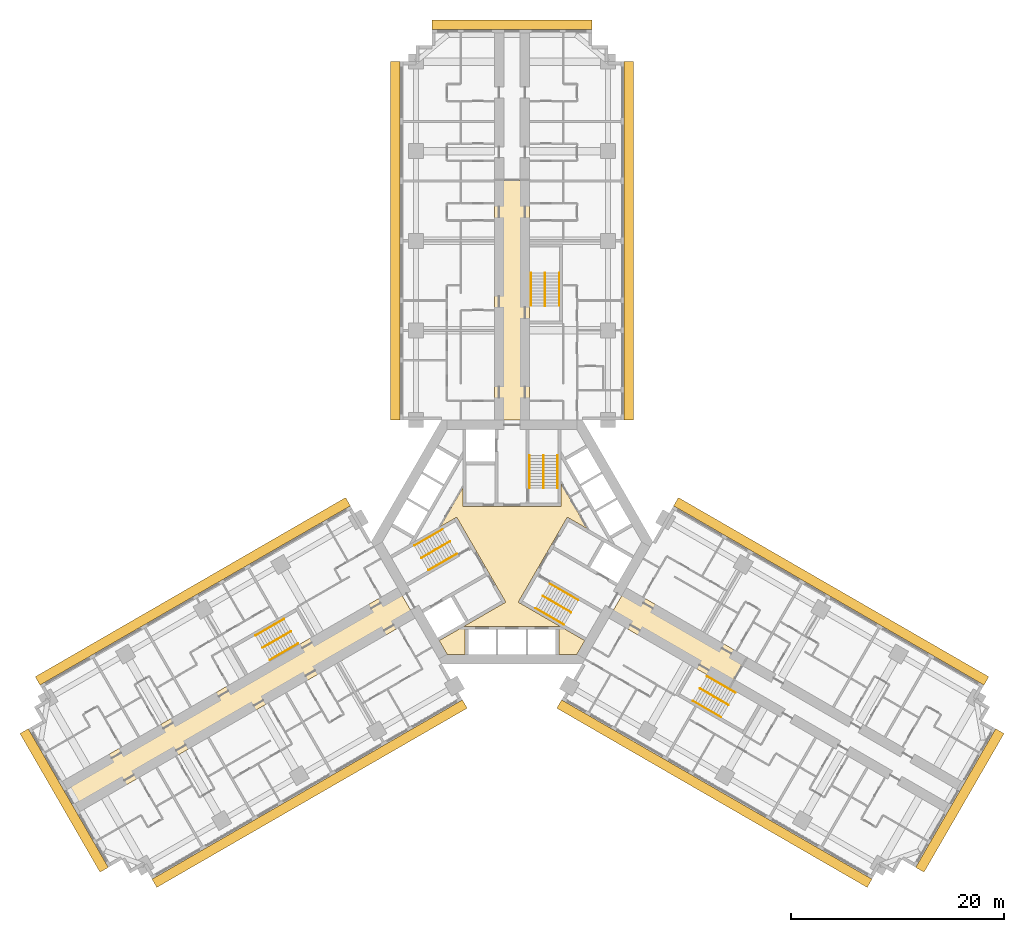
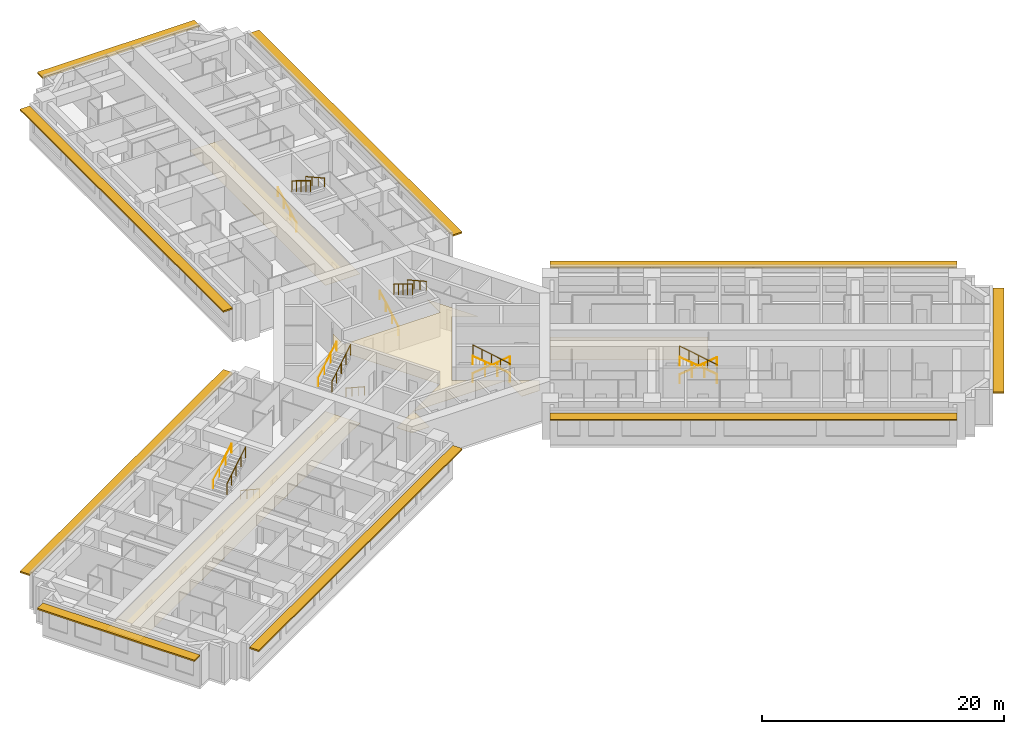
# One storey, part 16 of 16: 18 railings, 4 coverings, 3 shading devices.
"""IFC4 building model written with IfcOpenShell, lengths in metres."""

import ifcopenshell
import ifcopenshell.guid

model = None  # the IFC model being written
_history = None  # IfcOwnerHistory: only IFC2X3 demands one
_inside = {}  # id of a spatial element -> (the spatial element, [elements in it])
_under = {}  # id of a project, library or spatial element -> (it, [spatial elements below it])
_declared = {}  # id of a project -> (the project, [libraries it declares])
_typed = {}  # id of a type object -> (the type object, [elements of that type])
_made_of = {}  # id of a material, layer set ... -> (it, [elements and type objects made of it])


def new_model(schema):
    """Start an empty IFC model of exactly this schema.

    Asked for "IFC4X3", IfcOpenShell would pick the latest addendum, in which some entities
    have other attributes; the version numbers below select the first issue.
    IFC2X3 requires an IfcOwnerHistory on every rooted entity: one is made here for all.
    """
    global model, _history
    if schema == "IFC4X3":
        model = ifcopenshell.file(schema_version=(4, 3, 0, 0))
    else:
        model = ifcopenshell.file(schema=schema)
    _inside.clear()
    _under.clear()
    _declared.clear()
    _typed.clear()
    _made_of.clear()
    _history = None
    if model.schema == "IFC2X3":
        org = make("IfcOrganization", Name="unknown")
        user = make(
            "IfcPersonAndOrganization",
            ThePerson=make("IfcPerson", FamilyName="unknown"),
            TheOrganization=org,
        )
        app = make(
            "IfcApplication",
            ApplicationDeveloper=org,
            Version="unknown",
            ApplicationFullName="unknown",
            ApplicationIdentifier="unknown",
        )
        _history = make(
            "IfcOwnerHistory",
            OwningUser=user,
            OwningApplication=app,
            ChangeAction="ADDED",
            CreationDate=0,
        )
    return model


def make(cls, **values):
    """One entity of the class cls with the attributes given. An attribute that is None is left unset."""
    return model.create_entity(
        cls, **{name: value for name, value in values.items() if value is not None}
    )


def rooted(cls, **values):
    """An entity with a GlobalId (a new one), such as an element, a storey or a relation."""
    return make(cls, GlobalId=ifcopenshell.guid.new(), OwnerHistory=_history, **values)


def si_unit(unit_type, name, prefix=None):
    """IfcSIUnit, for example si_unit("LENGTHUNIT", "METRE", prefix="MILLI")."""
    return make("IfcSIUnit", UnitType=unit_type, Prefix=prefix, Name=name)


def assignment(units):
    """IfcUnitAssignment: the units of a project."""
    return None if units is None else make("IfcUnitAssignment", Units=units)


def point(xyz):
    """IfcCartesianPoint."""
    return None if xyz is None else make("IfcCartesianPoint", Coordinates=xyz)


def direction(xyz):
    """IfcDirection."""
    return None if xyz is None else make("IfcDirection", DirectionRatios=xyz)


def frame(location, z_axis=None, x_axis=None):
    """IfcAxis2Placement3D, a coordinate frame: its origin and axes. An axis left out is left unset."""
    return make(
        "IfcAxis2Placement3D",
        Location=point(location),
        Axis=direction(z_axis),
        RefDirection=direction(x_axis),
    )


def frame_2d(location, x_axis=None):
    """IfcAxis2Placement2D, a coordinate frame in the plane: its origin and x axis."""
    return make(
        "IfcAxis2Placement2D", Location=point(location), RefDirection=direction(x_axis)
    )


def origin():
    """The frame at (0, 0, 0) with its axes left unset."""
    return frame((0.0, 0.0, 0.0))


def origin_2d():
    """The frame at (0, 0) in the plane with its x axis left unset."""
    return frame_2d((0.0, 0.0))


def place(relative_to, where):
    """IfcLocalPlacement: puts the frame where relative to a parent placement (None: the world)."""
    return make(
        "IfcLocalPlacement", PlacementRelTo=relative_to, RelativePlacement=where
    )


def context(
    kind, dimensions, precision=None, world=None, true_north=None, identifier=None
):
    """IfcGeometricRepresentationContext, for example the 3D "Model" context."""
    return make(
        "IfcGeometricRepresentationContext",
        ContextIdentifier=identifier,
        ContextType=kind,
        CoordinateSpaceDimension=dimensions,
        Precision=precision,
        WorldCoordinateSystem=world,
        TrueNorth=true_north,
    )


def subcontext(parent, identifier, kind, view, scale=None):
    """IfcGeometricRepresentationSubContext, for example "Body" below "Model"."""
    return make(
        "IfcGeometricRepresentationSubContext",
        ContextIdentifier=identifier,
        ContextType=kind,
        ParentContext=parent,
        TargetScale=scale,
        TargetView=view,
    )


def project(units=None, contexts=None):
    """IfcProject with its units and contexts."""
    return rooted(
        "IfcProject",
        Name="project",
        RepresentationContexts=contexts,
        UnitsInContext=assignment(units),
    )


def spatial(cls, under=None, at=None, **own):
    """A site, building, storey or space (cls), placed at a placement, below another one or the project."""
    s = rooted(cls, ObjectPlacement=at, **own)
    if under is not None:
        _under.setdefault(under.id(), (under, []))[1].append(s)
    return s


def polyline(points):
    """IfcPolyline through the points."""
    return make("IfcPolyline", Points=[point(p) for p in points])


def profile(cls, at=None, kind="AREA", **sizes):
    """A parametric profile (cls). Its sizes go by their IFC names, for example OverallWidth=200.0."""
    return make(cls, ProfileType=kind, Position=at, **sizes)


def rectangle(**sizes):
    """IfcRectangleProfileDef."""
    return profile("IfcRectangleProfileDef", **sizes)


def circle(**sizes):
    """IfcCircleProfileDef."""
    return profile("IfcCircleProfileDef", **sizes)


def outline(outer, holes=None, kind="AREA"):
    """IfcArbitraryClosedProfileDef: a profile drawn as a closed curve; with holes, ...WithVoids."""
    if holes is None:
        return make("IfcArbitraryClosedProfileDef", ProfileType=kind, OuterCurve=outer)
    return make(
        "IfcArbitraryProfileDefWithVoids",
        ProfileType=kind,
        OuterCurve=outer,
        InnerCurves=holes,
    )


def extrude(swept, where, along, depth):
    """IfcExtrudedAreaSolid: the profile swept, set in the frame where, extruded along a direction by depth."""
    return make(
        "IfcExtrudedAreaSolid",
        SweptArea=swept,
        Position=where,
        ExtrudedDirection=direction(along),
        Depth=depth,
    )


def shape(context_of_items, identifier, shape_type, items):
    """IfcShapeRepresentation: the items that make up one representation, for example the "Body"."""
    return make(
        "IfcShapeRepresentation",
        ContextOfItems=context_of_items,
        RepresentationIdentifier=identifier,
        RepresentationType=shape_type,
        Items=items,
    )


def material(Name=None, Category=None):
    """IfcMaterial."""
    return make("IfcMaterial", Name=Name, Category=Category)


def layer(
    of_material, thickness, ventilated=None, Name=None, Category=None, Priority=None
):
    """IfcMaterialLayer: one layer of a wall or slab, of a material (None: an air gap)."""
    return make(
        "IfcMaterialLayer",
        Material=of_material,
        LayerThickness=thickness,
        IsVentilated=ventilated,
        Name=Name,
        Category=Category,
        Priority=Priority,
    )


def layer_set(layers, Name=None):
    """IfcMaterialLayerSet."""
    return make("IfcMaterialLayerSet", MaterialLayers=layers, LayerSetName=Name)


def made_of(thing, what):
    """Note that an element or type object is made of a material, layer set ...; save() writes the relation."""
    if what is not None:
        _made_of.setdefault(what.id(), (what, []))[1].append(thing)
    return thing


def type_object(cls, material=None, **own):
    """A type object (cls), such as IfcWallType, which elements share."""
    return made_of(rooted(cls, **own), material)


def element(
    cls,
    number,
    at=None,
    inside=None,
    cuts=None,
    type_object=None,
    material=None,
    context=None,
    identifier="Body",
    shape_type=None,
    held_by="IfcProductDefinitionShape",
    body=None,
    shapes=None,
    **own,
):
    """One element of the class cls, such as IfcWall. Its Tag is "e" and its number.

    at: its placement. inside: the storey or other place that contains it. cuts: it is an
    opening in that element (IfcRelVoidsElement). A single representation is given by context,
    identifier, shape_type and body (its items); several are given by shapes. held_by: the class
    of the entity that holds the representations. save() writes the other relations.
    """
    e = rooted(cls, Tag="e%d" % number, ObjectPlacement=at, **own)
    if body is not None:
        shapes = [shape(context, identifier, shape_type, body)]
    if shapes is not None:
        e.Representation = make(held_by, Representations=shapes)
    if inside is not None:
        _inside.setdefault(inside.id(), (inside, []))[1].append(e)
    if cuts is not None:
        rooted(
            "IfcRelVoidsElement", RelatingBuildingElement=cuts, RelatedOpeningElement=e
        )
    if type_object is not None:
        _typed.setdefault(type_object.id(), (type_object, []))[1].append(e)
    return made_of(e, material)


def aggregate(whole, parts):
    """IfcRelAggregates: a whole, such as a stair, and the parts it consists of."""
    return rooted("IfcRelAggregates", RelatingObject=whole, RelatedObjects=parts)


def save(model, path):
    """Write the relations noted so far, then the file.

    IfcRelAggregates (storeys below a building ...), IfcRelContainedInSpatialStructure (elements
    in a storey), IfcRelDefinesByType, IfcRelAssociatesMaterial and IfcRelDeclares: one each for
    every whole, place, type object, material and project.
    """
    for whole, parts in _under.values():
        aggregate(whole, parts)
    for where, things in _inside.values():
        rooted(
            "IfcRelContainedInSpatialStructure",
            RelatedElements=things,
            RelatingStructure=where,
        )
    for kind, things in _typed.values():
        rooted("IfcRelDefinesByType", RelatedObjects=things, RelatingType=kind)
    for what, things in _made_of.values():
        rooted("IfcRelAssociatesMaterial", RelatedObjects=things, RelatingMaterial=what)
    for by, libraries in _declared.values():
        rooted("IfcRelDeclares", RelatingContext=by, RelatedDefinitions=libraries)
    model.write(path)


model = new_model("IFC4")

# Units and contexts
model_context = context("Model", 3, precision=1e-05, world=origin(), true_north=direction((0.0, 1.0)))
body_context = subcontext(model_context, "Body", "Model", "MODEL_VIEW")
ifc_project = project(units=[si_unit("LENGTHUNIT", "METRE"), si_unit("AREAUNIT", "SQUARE_METRE"), si_unit("VOLUMEUNIT", "CUBIC_METRE"), si_unit("PLANEANGLEUNIT", "RADIAN"), si_unit("MASSUNIT", "GRAM", prefix="KILO")], contexts=[model_context])

# Site, building, storey
site_placement = place(None, origin())
site = spatial("IfcSite", under=ifc_project, at=site_placement, CompositionType="ELEMENT")
building_placement = place(site_placement, origin())
building = spatial("IfcBuilding", under=site, at=building_placement, Name="Impinga Residences", CompositionType="ELEMENT")
storey_placement = place(building_placement, frame((0.0, 0.0, 56.0)))
storey = spatial("IfcBuildingStorey", under=building, at=storey_placement, Name="L13", CompositionType="ELEMENT", Elevation=56.0)

# Coverings
ifc_material_1 = material(Name="Plasterboard 15 mm on steel hangers", Category="steel")
ifc_layer_1 = layer(ifc_material_1, 0.014892578125)
ifc_layer_set_1 = layer_set([ifc_layer_1], Name="Plasterboard 15 mm on steel hangers")
covering_type_1 = type_object("IfcCoveringType", Name="CL1 corridor ceiling, 15 mm plasterboard on hangers", PredefinedType="CEILING", material=ifc_layer_set_1)
covering_1_placement = place(storey_placement, frame((0.0, 0.0, 2.39990234375)))
element("IfcCovering", 1, at=covering_1_placement, inside=storey, type_object=covering_type_1, Name="Corridor ceiling CL1 L13-N00", PredefinedType="CEILING", context=body_context, shape_type="SweptSolid", body=[
    extrude(outline(polyline([(1.64990234375, 11.431640625), (-1.64990234375, 11.431640625), (-1.64990234375, 33.887939453125), (1.64990234375, 33.887939453125), (1.64990234375, 11.431640625)])), origin(), (0.0, 0.0, 1.0), 0.01513671875),
])
covering_2_placement = place(storey_placement, frame((0.0, 0.0, 2.39990234375)))
element("IfcCovering", 2, at=covering_2_placement, inside=storey, type_object=covering_type_1, Name="Corridor ceiling CL1 L13-W00", PredefinedType="CEILING", context=body_context, shape_type="SweptSolid", body=[
    extrude(outline(polyline([(-9.074951171875, -7.144775390625), (-10.72509765625, -4.286865234375), (-42.16162109375, -22.436767578125), (-40.51171875, -25.294677734375), (-9.074951171875, -7.144775390625)])), origin(), (0.0, 0.0, 1.0), 0.01513671875),
])
covering_3_placement = place(storey_placement, frame((0.0, 0.0, 2.39990234375)))
element("IfcCovering", 3, at=covering_3_placement, inside=storey, type_object=covering_type_1, Name="Corridor ceiling CL1 L13-E00", PredefinedType="CEILING", context=body_context, shape_type="SweptSolid", body=[
    extrude(outline(polyline([(9.074951171875, -7.144775390625), (10.72509765625, -4.286865234375), (21.999267578125, -10.796142578125), (20.349365234375, -13.654052734375), (9.074951171875, -7.144775390625)])), origin(), (0.0, 0.0, 1.0), 0.01513671875),
])
ifc_material_2 = material(Name="Mineral fibre tiles 20 mm on exposed grid", Category="mineral fibre")
ifc_layer_2 = layer(ifc_material_2, 0.02001953125)
ifc_layer_set_2 = layer_set([ifc_layer_2], Name="CL2 lift lobby ceiling, 20 mm mineral fibre tiles")
covering_type_2 = type_object("IfcCoveringType", Name="CL2 lift lobby ceiling, 20 mm mineral fibre tiles", PredefinedType="CEILING", material=ifc_layer_set_2)
covering_4_placement = place(storey_placement, frame((0.0, 0.0, 2.39990234375)))
element("IfcCovering", 4, at=covering_4_placement, inside=storey, type_object=covering_type_2, Name="Lift lobby ceiling CL2 L13-C01", PredefinedType="CEILING", context=body_context, shape_type="SweptSolid", body=[
    extrude(outline(polyline([(6.080322265625, -10.531494140625), (4.39990234375, -10.531494140625), (4.39990234375, -7.931640625), (-4.39990234375, -7.931640625), (-4.39990234375, -10.531494140625), (-6.080322265625, -10.531494140625), (-6.820556640625, -9.24951171875), (-0.583984375, -5.648681640625), (-5.183837890625, 2.318603515625), (-6.712890625, 1.435791015625), (-4.60009765625, 5.095703125), (-4.60009765625, 3.330078125), (4.60009765625, 3.330078125), (4.60009765625, 5.49560546875), (7.059326171875, 1.23583984375), (5.183837890625, 2.318603515625), (0.583984375, -5.648681640625), (6.820556640625, -9.24951171875), (6.080322265625, -10.531494140625)])), origin(), (0.0, 0.0, 1.0), 0.02001953125),
])

# Railings
ifc_material_3 = material(Name="Steel guard, powder coated", Category="steel")
railing_type_1 = type_object("IfcRailingType", Name="GR1 stair guard 1100", PredefinedType="GUARDRAIL", material=ifc_material_3)
railing_1_placement = place(storey_placement, frame((2.949951171875, 8.110107421875, 1.875)))
element("IfcRailing", 5, at=railing_1_placement, inside=storey, type_object=railing_type_1, Name="Stair guard GR1 ST1 L13", PredefinedType="GUARDRAIL", context=body_context, shape_type="SweptSolid", body=[
    extrude(circle(Radius=0.02392578125, at=origin_2d()), frame((0.0, 0.0, 1.076171875), z_axis=(0.0, -0.854177636135, 0.519981313056), x_axis=(1.0, 0.0, 0.0)), (0.0, 0.0, 1.0), 3.60595703125),
    extrude(circle(Radius=0.02099609375, at=origin_2d()), origin(), (0.0, 0.0, 1.0), 1.052001953125),
    extrude(circle(Radius=0.02099609375, at=origin_2d()), frame((0.0, -0.77001953125, 0.46875)), (0.0, 0.0, 1.0), 1.052001953125),
    extrude(circle(Radius=0.02099609375, at=origin_2d()), frame((0.0, -1.5400390625, 0.9375)), (0.0, 0.0, 1.0), 1.052001953125),
    extrude(circle(Radius=0.02099609375, at=origin_2d()), frame((0.0, -2.31005859375, 1.40625)), (0.0, 0.0, 1.0), 1.052001953125),
    extrude(circle(Radius=0.02099609375, at=origin_2d()), frame((0.0, -3.080078125, 1.875)), (0.0, 0.0, 1.0), 1.052001953125),
])
railing_2_placement = place(storey_placement, frame((-8.49853515625, -1.500244140625, 1.875)))
element("IfcRailing", 6, at=railing_2_placement, inside=storey, type_object=railing_type_1, Name="Stair guard GR1 ST2 L13", PredefinedType="GUARDRAIL", context=body_context, shape_type="SweptSolid", body=[
    extrude(circle(Radius=0.02392578125, at=origin_2d()), frame((0.0, 0.0, 1.076171875), z_axis=(0.739746383972, 0.427084037168, 0.519975492303), x_axis=(-0.499992328818, 0.866029832698, 0.0)), (0.0, 0.0, 1.0), 3.60595703125),
    extrude(circle(Radius=0.02099609375, at=origin_2d()), origin(), (0.0, 0.0, 1.0), 1.052001953125),
    extrude(circle(Radius=0.02099609375, at=origin_2d()), frame((0.6669921875, 0.385009765625, 0.46875)), (0.0, 0.0, 1.0), 1.052001953125),
    extrude(circle(Radius=0.02099609375, at=origin_2d()), frame((1.333740234375, 0.77001953125, 0.9375)), (0.0, 0.0, 1.0), 1.052001953125),
    extrude(circle(Radius=0.02099609375, at=origin_2d()), frame((2.00048828125, 1.155029296875, 1.40625)), (0.0, 0.0, 1.0), 1.052001953125),
    extrude(circle(Radius=0.02099609375, at=origin_2d()), frame((2.66748046875, 1.5400390625, 1.875)), (0.0, 0.0, 1.0), 1.052001953125),
])
railing_3_placement = place(storey_placement, frame((5.548583984375, -6.60986328125, 1.875)))
element("IfcRailing", 7, at=railing_3_placement, inside=storey, type_object=railing_type_1, Name="Stair guard GR1 ST3 L13", PredefinedType="GUARDRAIL", context=body_context, shape_type="SweptSolid", body=[
    extrude(circle(Radius=0.02392578125, at=origin_2d()), frame((0.0, 0.0, 1.076171875), z_axis=(-0.739746383972, 0.427084037168, 0.519975492303), x_axis=(-0.499992328818, -0.866029832698, 0.0)), (0.0, 0.0, 1.0), 3.60595703125),
    extrude(circle(Radius=0.02099609375, at=origin_2d()), origin(), (0.0, 0.0, 1.0), 1.052001953125),
    extrude(circle(Radius=0.02099609375, at=origin_2d()), frame((-0.6669921875, 0.385009765625, 0.46875)), (0.0, 0.0, 1.0), 1.052001953125),
    extrude(circle(Radius=0.02099609375, at=origin_2d()), frame((-1.333740234375, 0.77001953125, 0.9375)), (0.0, 0.0, 1.0), 1.052001953125),
    extrude(circle(Radius=0.02099609375, at=origin_2d()), frame((-2.00048828125, 1.155029296875, 1.40625)), (0.0, 0.0, 1.0), 1.052001953125),
    extrude(circle(Radius=0.02099609375, at=origin_2d()), frame((-2.66748046875, 1.5400390625, 1.875)), (0.0, 0.0, 1.0), 1.052001953125),
])
railing_4_placement = place(storey_placement, frame((3.10009765625, 25.21142578125, 1.875)))
element("IfcRailing", 8, at=railing_4_placement, inside=storey, type_object=railing_type_1, Name="Stair guard GR1 WS1 L13", PredefinedType="GUARDRAIL", context=body_context, shape_type="SweptSolid", body=[
    extrude(circle(Radius=0.02392578125, at=origin_2d()), frame((0.0, 0.0, 1.076171875), z_axis=(0.0, -0.854159328187, 0.520011386482), x_axis=(1.0, 0.0, 0.0)), (0.0, 0.0, 1.0), 3.605712890625),
    extrude(circle(Radius=0.02099609375, at=origin_2d()), origin(), (0.0, 0.0, 1.0), 1.052001953125),
    extrude(circle(Radius=0.02099609375, at=origin_2d()), frame((0.0, -0.77001953125, 0.46875)), (0.0, 0.0, 1.0), 1.052001953125),
    extrude(circle(Radius=0.02099609375, at=origin_2d()), frame((0.0, -1.5400390625, 0.9375)), (0.0, 0.0, 1.0), 1.052001953125),
    extrude(circle(Radius=0.02099609375, at=origin_2d()), frame((0.0, -2.309814453125, 1.40625)), (0.0, 0.0, 1.0), 1.052001953125),
    extrude(circle(Radius=0.02099609375, at=origin_2d()), frame((0.0, -3.079833984375, 1.875)), (0.0, 0.0, 1.0), 1.052001953125),
])
railing_5_placement = place(storey_placement, frame((-23.3837890625, -9.921142578125, 1.875)))
element("IfcRailing", 9, at=railing_5_placement, inside=storey, type_object=railing_type_1, Name="Stair guard GR1 WS2 L13", PredefinedType="GUARDRAIL", context=body_context, shape_type="SweptSolid", body=[
    extrude(circle(Radius=0.02392578125, at=origin_2d()), frame((0.0, 0.0, 1.076171875), z_axis=(0.739715726454, 0.427105428144, 0.52000153585), x_axis=(-0.500026652407, 0.866010015463, 0.0)), (0.0, 0.0, 1.0), 3.605712890625),
    extrude(circle(Radius=0.02099609375, at=origin_2d()), origin(), (0.0, 0.0, 1.0), 1.052001953125),
    extrude(circle(Radius=0.02099609375, at=origin_2d()), frame((0.666748046875, 0.385009765625, 0.46875)), (0.0, 0.0, 1.0), 1.052001953125),
    extrude(circle(Radius=0.02099609375, at=origin_2d()), frame((1.33349609375, 0.77001953125, 0.9375)), (0.0, 0.0, 1.0), 1.052001953125),
    extrude(circle(Radius=0.02099609375, at=origin_2d()), frame((2.00048828125, 1.155029296875, 1.40625)), (0.0, 0.0, 1.0), 1.052001953125),
    extrude(circle(Radius=0.02099609375, at=origin_2d()), frame((2.667236328125, 1.5400390625, 1.875)), (0.0, 0.0, 1.0), 1.052001953125),
])
railing_6_placement = place(storey_placement, frame((20.283935546875, -15.29052734375, 1.875)))
element("IfcRailing", 10, at=railing_6_placement, inside=storey, type_object=railing_type_1, Name="Stair guard GR1 WS3 L13", PredefinedType="GUARDRAIL", context=body_context, shape_type="SweptSolid", body=[
    extrude(circle(Radius=0.02392578125, at=origin_2d()), frame((0.0, 0.0, 1.076171875), z_axis=(-0.739746383972, 0.427084037168, 0.519975492303), x_axis=(-0.499992328818, -0.866029832698, 0.0)), (0.0, 0.0, 1.0), 3.60595703125),
    extrude(circle(Radius=0.02099609375, at=origin_2d()), origin(), (0.0, 0.0, 1.0), 1.052001953125),
    extrude(circle(Radius=0.02099609375, at=origin_2d()), frame((-0.6669921875, 0.385009765625, 0.46875)), (0.0, 0.0, 1.0), 1.052001953125),
    extrude(circle(Radius=0.02099609375, at=origin_2d()), frame((-1.333740234375, 0.77001953125, 0.9375)), (0.0, 0.0, 1.0), 1.052001953125),
    extrude(circle(Radius=0.02099609375, at=origin_2d()), frame((-2.00048828125, 1.155029296875, 1.40625)), (0.0, 0.0, 1.0), 1.052001953125),
    extrude(circle(Radius=0.02099609375, at=origin_2d()), frame((-2.66748046875, 1.5400390625, 1.875)), (0.0, 0.0, 1.0), 1.052001953125),
])
ifc_material_4 = material(Name="Steel handrail tube 42 mm, powder coated", Category="steel")
railing_type_2 = type_object("IfcRailingType", Name="HR1 stair handrail, 42 mm steel tube, 900 above the pitch line", PredefinedType="HANDRAIL", material=ifc_material_4)
railing_7_placement = place(storey_placement, frame((1.62109375, 5.030029296875, 0.15625)))
element("IfcRailing", 11, at=railing_7_placement, inside=storey, type_object=railing_type_2, Name="Stair handrail HR1 ST1 L13", PredefinedType="HANDRAIL", context=body_context, shape_type="SweptSolid", body=[
    extrude(circle(Radius=0.02099609375, at=origin_2d()), frame((0.0, 0.0, 0.87890625), z_axis=(0.0, 0.873241540666, 0.487287606713), x_axis=(-1.0, 0.0, 0.0)), (0.0, 0.0, 1.0), 3.527099609375),
    extrude(circle(Radius=0.012451171875, at=origin_2d()), origin(), (0.0, 0.0, 1.0), 0.85791015625),
    extrude(circle(Radius=0.012451171875, at=origin_2d()), frame((0.0, 1.026611328125, 0.572998046875)), (0.0, 0.0, 1.0), 0.85791015625),
    extrude(circle(Radius=0.012451171875, at=origin_2d()), frame((0.0, 2.053466796875, 1.145751953125)), (0.0, 0.0, 1.0), 0.85791015625),
    extrude(circle(Radius=0.012451171875, at=origin_2d()), frame((0.0, 3.080078125, 1.71875)), (0.0, 0.0, 1.0), 0.85791015625),
])
railing_8_placement = place(storey_placement, frame((4.279052734375, 8.110107421875, 2.03125)))
element("IfcRailing", 12, at=railing_8_placement, inside=storey, type_object=railing_type_2, Name="Stair handrail HR1 ST1 L13", PredefinedType="HANDRAIL", context=body_context, shape_type="SweptSolid", body=[
    extrude(circle(Radius=0.02099609375, at=origin_2d()), frame((0.0, 0.0, 0.87890625), z_axis=(0.0, -0.873241540666, 0.487287606713), x_axis=(1.0, 0.0, 0.0)), (0.0, 0.0, 1.0), 3.527099609375),
    extrude(circle(Radius=0.012451171875, at=origin_2d()), origin(), (0.0, 0.0, 1.0), 0.85791015625),
    extrude(circle(Radius=0.012451171875, at=origin_2d()), frame((0.0, -1.026611328125, 0.572998046875)), (0.0, 0.0, 1.0), 0.85791015625),
    extrude(circle(Radius=0.012451171875, at=origin_2d()), frame((0.0, -2.053466796875, 1.145751953125)), (0.0, 0.0, 1.0), 0.85791015625),
    extrude(circle(Radius=0.012451171875, at=origin_2d()), frame((0.0, -3.080078125, 1.71875)), (0.0, 0.0, 1.0), 0.85791015625),
])
railing_9_placement = place(storey_placement, frame((-5.16650390625, -1.111083984375, 0.15625)))
element("IfcRailing", 13, at=railing_9_placement, inside=storey, type_object=railing_type_2, Name="Stair handrail HR1 ST2 L13", PredefinedType="HANDRAIL", context=body_context, shape_type="SweptSolid", body=[
    extrude(circle(Radius=0.02099609375, at=origin_2d()), frame((0.0, 0.0, 0.87890625), z_axis=(-0.756255980417, -0.436615662133, 0.487281905742), x_axis=(0.499992328818, -0.866029832698, 0.0)), (0.0, 0.0, 1.0), 3.527099609375),
    extrude(circle(Radius=0.012451171875, at=origin_2d()), origin(), (0.0, 0.0, 1.0), 0.85791015625),
    extrude(circle(Radius=0.012451171875, at=origin_2d()), frame((-0.88916015625, -0.513427734375, 0.572998046875)), (0.0, 0.0, 1.0), 0.85791015625),
    extrude(circle(Radius=0.012451171875, at=origin_2d()), frame((-1.7783203125, -1.026611328125, 1.145751953125)), (0.0, 0.0, 1.0), 0.85791015625),
    extrude(circle(Radius=0.012451171875, at=origin_2d()), frame((-2.66748046875, -1.5400390625, 1.71875)), (0.0, 0.0, 1.0), 0.85791015625),
])
railing_10_placement = place(storey_placement, frame((-9.1630859375, -0.349365234375, 2.03125)))
element("IfcRailing", 14, at=railing_10_placement, inside=storey, type_object=railing_type_2, Name="Stair handrail HR1 ST2 L13", PredefinedType="HANDRAIL", context=body_context, shape_type="SweptSolid", body=[
    extrude(circle(Radius=0.02099609375, at=origin_2d()), frame((0.0, 0.0, 0.87890625), z_axis=(0.756255980417, 0.436615662133, 0.487281905742), x_axis=(-0.499992328818, 0.866029832698, 0.0)), (0.0, 0.0, 1.0), 3.527099609375),
    extrude(circle(Radius=0.012451171875, at=origin_2d()), origin(), (0.0, 0.0, 1.0), 0.85791015625),
    extrude(circle(Radius=0.012451171875, at=origin_2d()), frame((0.88916015625, 0.513427734375, 0.572998046875)), (0.0, 0.0, 1.0), 0.85791015625),
    extrude(circle(Radius=0.012451171875, at=origin_2d()), frame((1.7783203125, 1.026611328125, 1.145751953125)), (0.0, 0.0, 1.0), 0.85791015625),
    extrude(circle(Radius=0.012451171875, at=origin_2d()), frame((2.66748046875, 1.5400390625, 1.71875)), (0.0, 0.0, 1.0), 0.85791015625),
])
railing_11_placement = place(storey_placement, frame((3.545654296875, -3.9189453125, 0.15625)))
element("IfcRailing", 15, at=railing_11_placement, inside=storey, type_object=railing_type_2, Name="Stair handrail HR1 ST3 L13", PredefinedType="HANDRAIL", context=body_context, shape_type="SweptSolid", body=[
    extrude(circle(Radius=0.02099609375, at=origin_2d()), frame((0.0, 0.0, 0.87890625), z_axis=(0.756249203677, -0.436582492228, 0.487322141317), x_axis=(0.499967199496, 0.866044340336, 0.0)), (0.0, 0.0, 1.0), 3.52685546875),
    extrude(circle(Radius=0.012451171875, at=origin_2d()), origin(), (0.0, 0.0, 1.0), 0.85791015625),
    extrude(circle(Radius=0.012451171875, at=origin_2d()), frame((0.88916015625, -0.51318359375, 0.572998046875)), (0.0, 0.0, 1.0), 0.85791015625),
    extrude(circle(Radius=0.012451171875, at=origin_2d()), frame((1.778076171875, -1.026611328125, 1.145751953125)), (0.0, 0.0, 1.0), 0.85791015625),
    extrude(circle(Radius=0.012451171875, at=origin_2d()), frame((2.667236328125, -1.539794921875, 1.71875)), (0.0, 0.0, 1.0), 0.85791015625),
])
railing_12_placement = place(storey_placement, frame((4.884033203125, -7.7607421875, 2.03125)))
element("IfcRailing", 16, at=railing_12_placement, inside=storey, type_object=railing_type_2, Name="Stair handrail HR1 ST3 L13", PredefinedType="HANDRAIL", context=body_context, shape_type="SweptSolid", body=[
    extrude(circle(Radius=0.02099609375, at=origin_2d()), frame((0.0, 0.0, 0.87890625), z_axis=(-0.756255980417, 0.436615662133, 0.487281905742), x_axis=(-0.499992328818, -0.866029832698, 0.0)), (0.0, 0.0, 1.0), 3.527099609375),
    extrude(circle(Radius=0.012451171875, at=origin_2d()), origin(), (0.0, 0.0, 1.0), 0.85791015625),
    extrude(circle(Radius=0.012451171875, at=origin_2d()), frame((-0.88916015625, 0.513427734375, 0.572998046875)), (0.0, 0.0, 1.0), 0.85791015625),
    extrude(circle(Radius=0.012451171875, at=origin_2d()), frame((-1.7783203125, 1.026611328125, 1.145751953125)), (0.0, 0.0, 1.0), 0.85791015625),
    extrude(circle(Radius=0.012451171875, at=origin_2d()), frame((-2.66748046875, 1.5400390625, 1.71875)), (0.0, 0.0, 1.0), 0.85791015625),
])
railing_13_placement = place(storey_placement, frame((1.77099609375, 22.131591796875, 0.15625)))
element("IfcRailing", 17, at=railing_13_placement, inside=storey, type_object=railing_type_2, Name="Stair handrail HR1 WS1 L13", PredefinedType="HANDRAIL", context=body_context, shape_type="SweptSolid", body=[
    extrude(circle(Radius=0.02099609375, at=origin_2d()), frame((0.0, 0.0, 0.87890625), z_axis=(0.0, 0.873225103656, 0.487317061414), x_axis=(-1.0, 0.0, 0.0)), (0.0, 0.0, 1.0), 3.52685546875),
    extrude(circle(Radius=0.012451171875, at=origin_2d()), origin(), (0.0, 0.0, 1.0), 0.85791015625),
    extrude(circle(Radius=0.012451171875, at=origin_2d()), frame((0.0, 1.026611328125, 0.572998046875)), (0.0, 0.0, 1.0), 0.85791015625),
    extrude(circle(Radius=0.012451171875, at=origin_2d()), frame((0.0, 2.05322265625, 1.145751953125)), (0.0, 0.0, 1.0), 0.85791015625),
    extrude(circle(Radius=0.012451171875, at=origin_2d()), frame((0.0, 3.079833984375, 1.71875)), (0.0, 0.0, 1.0), 0.85791015625),
])
railing_14_placement = place(storey_placement, frame((4.428955078125, 25.21142578125, 2.03125)))
element("IfcRailing", 18, at=railing_14_placement, inside=storey, type_object=railing_type_2, Name="Stair handrail HR1 WS1 L13", PredefinedType="HANDRAIL", context=body_context, shape_type="SweptSolid", body=[
    extrude(circle(Radius=0.02099609375, at=origin_2d()), frame((0.0, 0.0, 0.87890625), z_axis=(0.0, -0.873225103656, 0.487317061414), x_axis=(1.0, 0.0, 0.0)), (0.0, 0.0, 1.0), 3.52685546875),
    extrude(circle(Radius=0.012451171875, at=origin_2d()), origin(), (0.0, 0.0, 1.0), 0.85791015625),
    extrude(circle(Radius=0.012451171875, at=origin_2d()), frame((0.0, -1.026611328125, 0.572998046875)), (0.0, 0.0, 1.0), 0.85791015625),
    extrude(circle(Radius=0.012451171875, at=origin_2d()), frame((0.0, -2.05322265625, 1.145751953125)), (0.0, 0.0, 1.0), 0.85791015625),
    extrude(circle(Radius=0.012451171875, at=origin_2d()), frame((0.0, -3.079833984375, 1.71875)), (0.0, 0.0, 1.0), 0.85791015625),
])
railing_15_placement = place(storey_placement, frame((-20.052001953125, -9.531982421875, 0.15625)))
element("IfcRailing", 19, at=railing_15_placement, inside=storey, type_object=railing_type_2, Name="Stair handrail HR1 WS2 L13", PredefinedType="HANDRAIL", context=body_context, shape_type="SweptSolid", body=[
    extrude(circle(Radius=0.02099609375, at=origin_2d()), frame((0.0, 0.0, 0.87890625), z_axis=(-0.756226348243, -0.436638517594, 0.487307413422), x_axis=(0.500026652407, -0.866010015463, 0.0)), (0.0, 0.0, 1.0), 3.527099609375),
    extrude(circle(Radius=0.012451171875, at=origin_2d()), origin(), (0.0, 0.0, 1.0), 0.85791015625),
    extrude(circle(Radius=0.012451171875, at=origin_2d()), frame((-0.88916015625, -0.513427734375, 0.572998046875)), (0.0, 0.0, 1.0), 0.85791015625),
    extrude(circle(Radius=0.012451171875, at=origin_2d()), frame((-1.778076171875, -1.026611328125, 1.145751953125)), (0.0, 0.0, 1.0), 0.85791015625),
    extrude(circle(Radius=0.012451171875, at=origin_2d()), frame((-2.667236328125, -1.5400390625, 1.71875)), (0.0, 0.0, 1.0), 0.85791015625),
])
railing_16_placement = place(storey_placement, frame((-24.04833984375, -8.77001953125, 2.03125)))
element("IfcRailing", 20, at=railing_16_placement, inside=storey, type_object=railing_type_2, Name="Stair handrail HR1 WS2 L13", PredefinedType="HANDRAIL", context=body_context, shape_type="SweptSolid", body=[
    extrude(circle(Radius=0.02099609375, at=origin_2d()), frame((0.0, 0.0, 0.87890625), z_axis=(0.756278834354, 0.436559638319, 0.487296631324), x_axis=(-0.499932877268, 0.866064153644, 0.0)), (0.0, 0.0, 1.0), 3.527099609375),
    extrude(circle(Radius=0.012451171875, at=origin_2d()), origin(), (0.0, 0.0, 1.0), 0.85791015625),
    extrude(circle(Radius=0.012451171875, at=origin_2d()), frame((0.88916015625, 0.51318359375, 0.572998046875)), (0.0, 0.0, 1.0), 0.85791015625),
    extrude(circle(Radius=0.012451171875, at=origin_2d()), frame((1.7783203125, 1.026611328125, 1.145751953125)), (0.0, 0.0, 1.0), 0.85791015625),
    extrude(circle(Radius=0.012451171875, at=origin_2d()), frame((2.66748046875, 1.539794921875, 1.71875)), (0.0, 0.0, 1.0), 0.85791015625),
])
railing_17_placement = place(storey_placement, frame((18.281005859375, -12.599609375, 0.15625)))
element("IfcRailing", 21, at=railing_17_placement, inside=storey, type_object=railing_type_2, Name="Stair handrail HR1 WS3 L13", PredefinedType="HANDRAIL", context=body_context, shape_type="SweptSolid", body=[
    extrude(circle(Radius=0.02099609375, at=origin_2d()), frame((0.0, 0.0, 0.87890625), z_axis=(0.756249203677, -0.436582492228, 0.487322141317), x_axis=(0.499967199496, 0.866044340336, 0.0)), (0.0, 0.0, 1.0), 3.52685546875),
    extrude(circle(Radius=0.012451171875, at=origin_2d()), origin(), (0.0, 0.0, 1.0), 0.85791015625),
    extrude(circle(Radius=0.012451171875, at=origin_2d()), frame((0.88916015625, -0.51318359375, 0.572998046875)), (0.0, 0.0, 1.0), 0.85791015625),
    extrude(circle(Radius=0.012451171875, at=origin_2d()), frame((1.778076171875, -1.026611328125, 1.145751953125)), (0.0, 0.0, 1.0), 0.85791015625),
    extrude(circle(Radius=0.012451171875, at=origin_2d()), frame((2.667236328125, -1.539794921875, 1.71875)), (0.0, 0.0, 1.0), 0.85791015625),
])
railing_18_placement = place(storey_placement, frame((19.619384765625, -16.44140625, 2.03125)))
element("IfcRailing", 22, at=railing_18_placement, inside=storey, type_object=railing_type_2, Name="Stair handrail HR1 WS3 L13", PredefinedType="HANDRAIL", context=body_context, shape_type="SweptSolid", body=[
    extrude(circle(Radius=0.02099609375, at=origin_2d()), frame((0.0, 0.0, 0.87890625), z_axis=(-0.756255980417, 0.436615662133, 0.487281905742), x_axis=(-0.499992328818, -0.866029832698, 0.0)), (0.0, 0.0, 1.0), 3.527099609375),
    extrude(circle(Radius=0.012451171875, at=origin_2d()), origin(), (0.0, 0.0, 1.0), 0.85791015625),
    extrude(circle(Radius=0.012451171875, at=origin_2d()), frame((-0.88916015625, 0.513427734375, 0.572998046875)), (0.0, 0.0, 1.0), 0.85791015625),
    extrude(circle(Radius=0.012451171875, at=origin_2d()), frame((-1.7783203125, 1.026611328125, 1.145751953125)), (0.0, 0.0, 1.0), 0.85791015625),
    extrude(circle(Radius=0.012451171875, at=origin_2d()), frame((-2.66748046875, 1.5400390625, 1.71875)), (0.0, 0.0, 1.0), 0.85791015625),
])

# Shading devices
ifc_material_5 = material(Name="Terracotta sunshade blades on aluminium brackets", Category="masonry")
ifc_layer_3 = layer(ifc_material_5, 0.14990234375)
ifc_layer_set_3 = layer_set([ifc_layer_3], Name="SS1 SUNSHADE terracotta sunshade band 900")
shading_device_type = type_object("IfcShadingDeviceType", Name="SS1 SUNSHADE terracotta sunshade band 900", PredefinedType="USERDEFINED", material=ifc_layer_set_3)
shading_device_1_placement = place(storey_placement, frame((-10.949951171875, 28.2314453125, 3.10009765625), z_axis=(0.0, 0.0, 1.0), x_axis=(0.0, 1.0, 0.0)))
element("IfcShadingDevice", 23, at=shading_device_1_placement, inside=storey, type_object=shading_device_type, Name="SUNSHADE band L13 NORTH WING", ObjectType="SUNSHADE", PredefinedType="USERDEFINED", context=body_context, shape_type="SweptSolid", body=[
    extrude(rectangle(XDim=33.60009765625, YDim=0.89990234375, at=origin_2d()), origin(), (0.0, 0.0, 1.0), 0.14990234375),
    extrude(rectangle(XDim=15.0, YDim=0.89990234375, at=origin_2d()), frame((20.25, -10.949951171875, 0.0), z_axis=(0.0, 0.0, 1.0), x_axis=(0.0, -1.0, 0.0)), (0.0, 0.0, 1.0), 0.14990234375),
    extrude(rectangle(XDim=33.60009765625, YDim=0.89990234375, at=origin_2d()), frame((0.0, -21.89990234375, 0.0), z_axis=(0.0, 0.0, 1.0), x_axis=(-1.0, 0.0, 0.0)), (0.0, 0.0, 1.0), 0.14990234375),
])
shading_device_2_placement = place(storey_placement, frame((-41.986328125, -24.24072265625, 3.10009765625), z_axis=(0.0, 0.0, 1.0), x_axis=(-0.5, 0.866025403784, 0.0)))
element("IfcShadingDevice", 24, at=shading_device_2_placement, inside=storey, type_object=shading_device_type, Name="SUNSHADE band L13 WEST WING", ObjectType="SUNSHADE", PredefinedType="USERDEFINED", context=body_context, shape_type="SweptSolid", body=[
    extrude(rectangle(XDim=15.0, YDim=0.89990234375, at=origin_2d()), origin(), (0.0, 0.0, 1.0), 0.14990234375),
    extrude(rectangle(XDim=33.60009765625, YDim=0.89990234375, at=origin_2d()), frame((10.949951171875, -20.25, 0.0), z_axis=(0.0, 0.0, 1.0), x_axis=(0.0, -1.0, 0.0)), (0.0, 0.0, 1.0), 0.14990234375),
    extrude(rectangle(XDim=33.60009765625, YDim=0.89990234375, at=origin_2d()), frame((-10.949951171875, -20.250244140625, 0.0), z_axis=(0.0, 0.0, 1.0), x_axis=(0.0, 1.0, 0.0)), (0.0, 0.0, 1.0), 0.14990234375),
])
shading_device_3_placement = place(storey_placement, frame((29.92431640625, -4.6328125, 3.10009765625), z_axis=(0.0, 0.0, 1.0), x_axis=(0.866025403784, -0.5, 0.0)))
element("IfcShadingDevice", 25, at=shading_device_3_placement, inside=storey, type_object=shading_device_type, Name="SUNSHADE band L13 EAST WING", ObjectType="SUNSHADE", PredefinedType="USERDEFINED", context=body_context, shape_type="SweptSolid", body=[
    extrude(rectangle(XDim=33.60009765625, YDim=0.89990234375, at=origin_2d()), origin(), (0.0, 0.0, 1.0), 0.14990234375),
    extrude(rectangle(XDim=15.0, YDim=0.89990234375, at=origin_2d()), frame((20.25, -10.949951171875, 0.0), z_axis=(0.0, 0.0, 1.0), x_axis=(0.0, -1.0, 0.0)), (0.0, 0.0, 1.0), 0.14990234375),
    extrude(rectangle(XDim=33.60009765625, YDim=0.89990234375, at=origin_2d()), frame((-0.000244140625, -21.89990234375, 0.0), z_axis=(0.0, 0.0, 1.0), x_axis=(-1.0, 0.0, 0.0)), (0.0, 0.0, 1.0), 0.14990234375),
])

save(model, "model.ifc")
